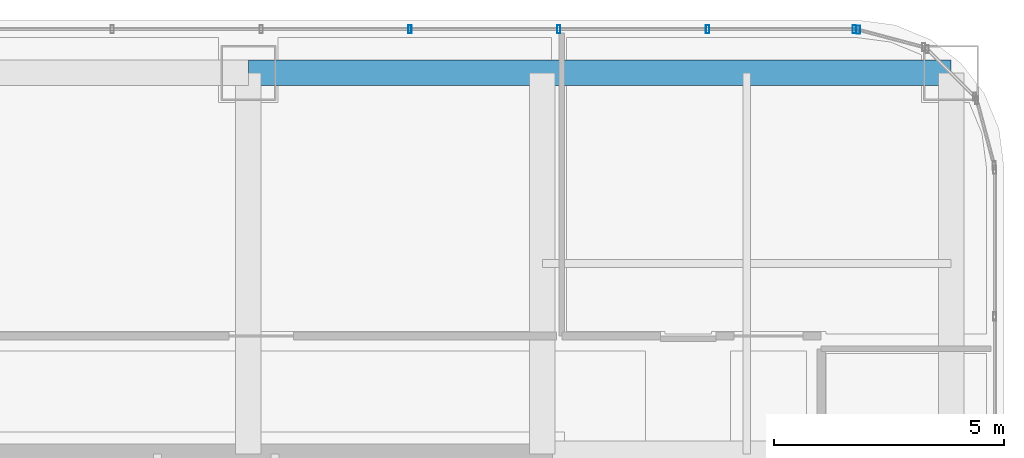
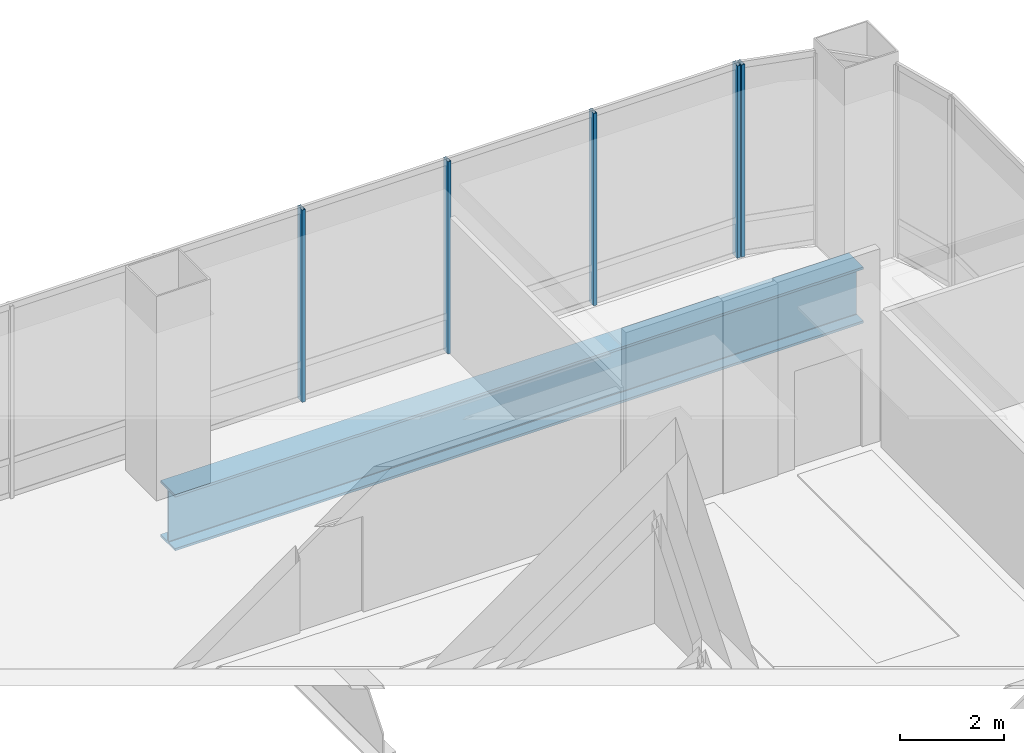
# One storey, part 32 of 45: 5 members, 1 beam, 2 elements without a shape of their own.
"""IFC4 building model written with IfcOpenShell, lengths in metres."""

from ifc_helpers import new_model, si_unit, direction, frame, origin, origin_2d, place, context, subcontext, project, spatial, hollow_rectangle, i_section, extrude, material, material_profile, profile_set, type_object, element, aggregate, save


model = new_model("IFC4")

# Units and contexts
model_context = context("Model", 3, precision=1e-05, world=origin(), true_north=direction((0.0, 1.0)))
body_context = subcontext(model_context, "Body", "Model", "MODEL_VIEW")
ifc_project = project(units=[si_unit("LENGTHUNIT", "METRE"), si_unit("AREAUNIT", "SQUARE_METRE"), si_unit("VOLUMEUNIT", "CUBIC_METRE"), si_unit("PLANEANGLEUNIT", "RADIAN"), si_unit("MASSUNIT", "GRAM", prefix="KILO")], contexts=[model_context])

# Site, building, storey
site_placement = place(None, origin())
site = spatial("IfcSite", under=ifc_project, at=site_placement, CompositionType="ELEMENT")
building_placement = place(site_placement, origin())
building = spatial("IfcBuilding", under=site, at=building_placement, Name="Punatoya Terracotta Tower", CompositionType="ELEMENT")
storey_placement = place(building_placement, frame((0.0, 0.0, 339.0)))
storey = spatial("IfcBuildingStorey", under=building, at=storey_placement, Name="L80", CompositionType="ELEMENT", Elevation=339.0)

# Beam
ifc_material_1 = material(Name="Steel S460", Category="steel")
ifc_material_profile_1 = material_profile(ifc_material_1, i_section(OverallWidth=0.56005859375, OverallDepth=1.320068359375, WebThickness=0.035888671875, FlangeThickness=0.054931640625, FilletRadius=0.01806640625, at=origin_2d()))
ifc_profile_set_1 = profile_set([ifc_material_profile_1], Name="Steel S460")
beam_type = type_object("IfcBeamType", Name="BM-TG-BLK", PredefinedType="BEAM", material=ifc_profile_set_1)
beam_placement = place(storey_placement, frame((3.800048828125, 17.5, -0.919921875), z_axis=(1.0, 0.0, 0.0), x_axis=(0.0, 1.0, 0.0)))
element("IfcBeam", 1, at=beam_placement, inside=storey, type_object=beam_type, Name="BM-L80-RG-N3", PredefinedType="BEAM", context=body_context, shape_type="SweptSolid", body=[
    extrude(i_section(OverallWidth=0.56005859375, OverallDepth=1.320068359375, WebThickness=0.035888671875, FlangeThickness=0.054931640625, FilletRadius=0.01806640625, at=origin_2d()), origin(), (0.0, 0.0, 1.0), 15.300048828125),
])

# Curtain wall, member
ifc_material_2 = material(Name="Aluminium 6063-T6 + Double Low-E Glass", Category="aluminium")
curtain_wall_type = type_object("IfcCurtainWallType", Name="CW-OBS", PredefinedType="NOTDEFINED", material=ifc_material_2)
curtain_wall_1_placement = place(storey_placement, origin())
curtain_wall_1 = element("IfcCurtainWall", 2, at=curtain_wall_1_placement, inside=storey, type_object=curtain_wall_type, Name="L80 Curtain Wall CW-L80-CRN08", PredefinedType="NOTDEFINED")
ifc_material_3 = material(Name="Aluminium 6063-T6", Category="aluminium")
ifc_material_profile_2 = material_profile(ifc_material_3, hollow_rectangle(XDim=0.070068359375, YDim=0.179931640625, WallThickness=0.00390625, at=origin_2d()))
ifc_profile_set_2 = profile_set([ifc_material_profile_2], Name="Aluminium 6063-T6")
member_type = type_object("IfcMemberType", Name="CW-MUL-M3", PredefinedType="MULLION", material=ifc_profile_set_2)
member_1_placement = place(storey_placement, frame((17.080322265625, 18.4384765625, 0.0), z_axis=(0.0, 0.0, 1.0), x_axis=(1.0, 0.0, 0.0)))
member_1 = element("IfcMember", 3, at=member_1_placement, type_object=member_type, Name="CW-L80-CRN08 Mullion 01", PredefinedType="MULLION", context=body_context, shape_type="SweptSolid", body=[
    extrude(hollow_rectangle(XDim=0.070068359375, YDim=0.179931640625, WallThickness=0.00390625, at=origin_2d()), origin(), (0.0, 0.0, 1.0), 4.52001953125),
])
aggregate(curtain_wall_1, [member_1])

# Curtain wall, members
curtain_wall_2_placement = place(storey_placement, origin())
curtain_wall_2 = element("IfcCurtainWall", 4, at=curtain_wall_2_placement, inside=storey, type_object=curtain_wall_type, Name="L80 Curtain Wall CW-L80-N09-1", PredefinedType="NOTDEFINED")
member_2_placement = place(storey_placement, frame((16.991943359375, 18.449951171875, 0.0), z_axis=(0.0, 0.0, 1.0), x_axis=(1.0, 0.0, 0.0)))
member_2 = element("IfcMember", 5, at=member_2_placement, type_object=member_type, Name="CW-L80-N09-1 Mullion 00", PredefinedType="MULLION", context=body_context, shape_type="SweptSolid", body=[
    extrude(hollow_rectangle(XDim=0.070068359375, YDim=0.179931640625, WallThickness=0.00390625, at=origin_2d()), origin(), (0.0, 0.0, 1.0), 4.52001953125),
])
member_3_placement = place(storey_placement, frame((13.79736328125, 18.449951171875, 0.0), z_axis=(0.0, 0.0, 1.0), x_axis=(1.0, 0.0, 0.0)))
member_3 = element("IfcMember", 6, at=member_3_placement, type_object=member_type, Name="CW-L80-N09-1 Mullion 01", PredefinedType="MULLION", context=body_context, shape_type="SweptSolid", body=[
    extrude(hollow_rectangle(XDim=0.070068359375, YDim=0.179931640625, WallThickness=0.00390625, at=origin_2d()), origin(), (0.0, 0.0, 1.0), 4.52001953125),
])
member_4_placement = place(storey_placement, frame((10.557861328125, 18.449951171875, 0.0), z_axis=(0.0, 0.0, 1.0), x_axis=(1.0, 0.0, 0.0)))
member_4 = element("IfcMember", 7, at=member_4_placement, type_object=member_type, Name="CW-L80-N09-1 Mullion 02", PredefinedType="MULLION", context=body_context, shape_type="SweptSolid", body=[
    extrude(hollow_rectangle(XDim=0.070068359375, YDim=0.179931640625, WallThickness=0.00390625, at=origin_2d()), origin(), (0.0, 0.0, 1.0), 4.52001953125),
])
member_5_placement = place(storey_placement, frame((7.318359375, 18.449951171875, 0.0), z_axis=(0.0, 0.0, 1.0), x_axis=(1.0, 0.0, 0.0)))
member_5 = element("IfcMember", 8, at=member_5_placement, type_object=member_type, Name="CW-L80-N09-1 Mullion 03", PredefinedType="MULLION", context=body_context, shape_type="SweptSolid", body=[
    extrude(hollow_rectangle(XDim=0.070068359375, YDim=0.179931640625, WallThickness=0.00390625, at=origin_2d()), origin(), (0.0, 0.0, 1.0), 4.52001953125),
])
aggregate(curtain_wall_2, [member_2, member_3, member_4, member_5])

save(model, "model.ifc")
